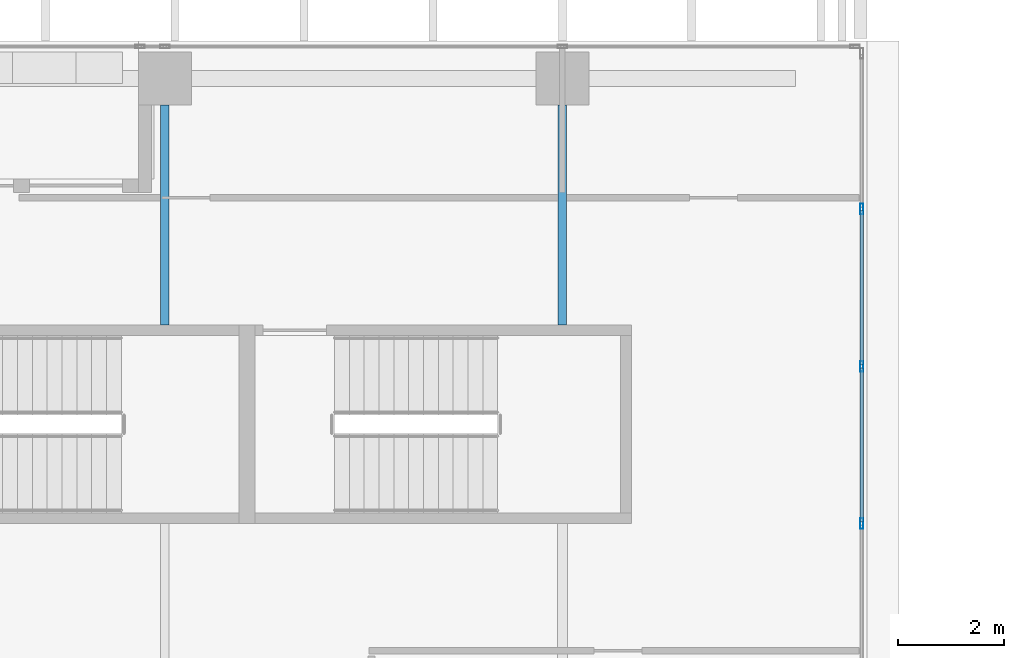
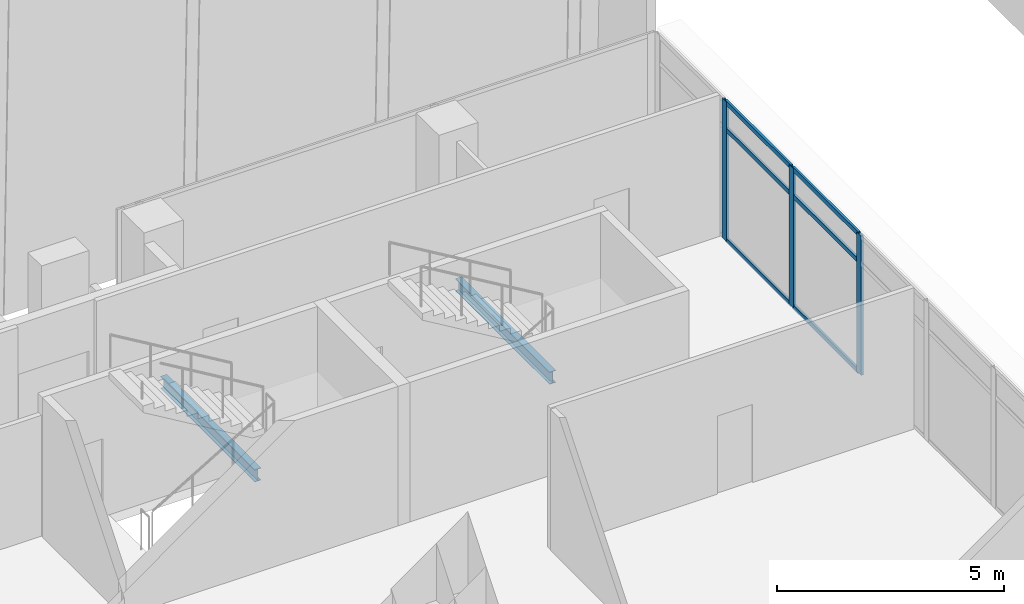
# One storey, part 20 of 40: 9 members, 2 beams, 1 element without a shape of its own.
"""IFC4 building model written with IfcOpenShell, lengths in metres."""

from ifc_helpers import new_model, si_unit, direction, frame, origin, origin_2d, place, context, subcontext, project, spatial, hollow_rectangle, i_section, extrude, source, transform, mapped, material, material_profile, profile_set, type_object, element, aggregate, save


model = new_model("IFC4")

# Units and contexts
model_context = context("Model", 3, precision=1e-05, world=origin(), true_north=direction((0.0, 1.0)))
body_context = subcontext(model_context, "Body", "Model", "MODEL_VIEW")
ifc_project = project(units=[si_unit("LENGTHUNIT", "METRE"), si_unit("AREAUNIT", "SQUARE_METRE"), si_unit("VOLUMEUNIT", "CUBIC_METRE"), si_unit("PLANEANGLEUNIT", "RADIAN"), si_unit("MASSUNIT", "GRAM", prefix="KILO")], contexts=[model_context])

# Site, building, storey
site_placement = place(None, origin())
site = spatial("IfcSite", under=ifc_project, at=site_placement, CompositionType="ELEMENT")
building_placement = place(site_placement, origin())
building = spatial("IfcBuilding", under=site, at=building_placement, Name="Khomas Fold Tower", CompositionType="ELEMENT")
storey_placement = place(building_placement, frame((0.0, 0.0, 176.699951171875)))
storey = spatial("IfcBuildingStorey", under=building, at=storey_placement, Name="L38", CompositionType="ELEMENT", Elevation=176.699951171875)

# Beams
ifc_material_1 = material(Name="Steel S355", Category="steel")
ifc_material_profile_1 = material_profile(ifc_material_1, i_section(OverallWidth=0.159912109375, OverallDepth=0.330078125, WebThickness=0.007568359375, FlangeThickness=0.011474609375, at=origin_2d()), Name="IPE 330")
ifc_profile_set_1 = profile_set([ifc_material_profile_1], Name="Steel S355")
beam_type = type_object("IfcBeamType", Name="IPE 330 beam JB1", PredefinedType="BEAM", material=ifc_profile_set_1)
shared_shape_1 = source(origin(), body_context, "Body", "SweptSolid", [
    extrude(i_section(OverallWidth=0.159912109375, OverallDepth=0.330078125, WebThickness=0.007568359375, FlangeThickness=0.011474609375, at=origin_2d()), origin(), (0.0, 0.0, 1.0), 4.150146484375),
])
for number, where, z_axis, x_axis, name in (
    (1, (19.5, 45.64990234375, -0.4150390625), (0.0, 1.0, 0.0), (-1.0, 0.0, 0.0), "JB1"),
    (2, (27.0, 45.64990234375, -0.4150390625), (0.0, 1.0, 0.0), (-1.0, 0.0, 0.0), "JB1"),
):
    element("IfcBeam", number, at=place(storey_placement, frame(where, z_axis=z_axis, x_axis=x_axis)), inside=storey, type_object=beam_type, Name=name, PredefinedType="BEAM", context=body_context, shape_type="MappedRepresentation", body=[
        mapped(shared_shape_1, transform((0.0, 0.0, 0.0))),
    ])

# Curtain wall, members
ifc_material_2 = material(Name="Aluminium framed double glazing", Category="aluminium")
curtain_wall_type = type_object("IfcCurtainWallType", Name="Notch glazing GN-CW", PredefinedType="NOTDEFINED", material=ifc_material_2)
curtain_wall_placement = place(storey_placement, origin())
curtain_wall = element("IfcCurtainWall", 3, at=curtain_wall_placement, inside=storey, type_object=curtain_wall_type, Name="Notch glazing run", PredefinedType="NOTDEFINED")
ifc_material_3 = material(Name="Aluminium", Category="aluminium")
ifc_material_profile_2 = material_profile(ifc_material_3, hollow_rectangle(XDim=0.06005859375, YDim=0.1201171875, WallThickness=0.00390625, at=origin_2d()), Name="Notch glazing transom GN-CW-T")
ifc_profile_set_2 = profile_set([ifc_material_profile_2], Name="Aluminium")
member_type_1 = type_object("IfcMemberType", Name="Notch glazing transom GN-CW-T", PredefinedType="USERDEFINED", material=ifc_profile_set_2)
shared_shape_2 = source(origin(), body_context, "Body", "SweptSolid", [
    extrude(hollow_rectangle(XDim=0.06005859375, YDim=0.1201171875, WallThickness=0.00390625, at=origin_2d()), origin(), (0.0, 0.0, 1.0), 2.90673828125),
])
member_1_placement = place(storey_placement, frame((32.64990234375, 41.929931640625, 0.030029296875), z_axis=(0.0, 1.0, 0.0), x_axis=(-1.0, 0.0, 0.0)))
member_1 = element("IfcMember", 4, at=member_1_placement, type_object=member_type_1, Name="GN-CW transom 4.1", ObjectType="TRANSOM", PredefinedType="USERDEFINED", context=body_context, shape_type="MappedRepresentation", body=[
    mapped(shared_shape_2, transform((0.0, 0.0, 0.0))),
])
member_2_placement = place(storey_placement, frame((32.64990234375, 41.929931640625, 3.0), z_axis=(0.0, 1.0, 0.0), x_axis=(-1.0, 0.0, 0.0)))
member_2 = element("IfcMember", 5, at=member_2_placement, type_object=member_type_1, Name="GN-CW transom 4.2", ObjectType="TRANSOM", PredefinedType="USERDEFINED", context=body_context, shape_type="MappedRepresentation", body=[
    mapped(shared_shape_2, transform((0.0, 0.0, 0.0))),
])
member_3_placement = place(storey_placement, frame((32.64990234375, 41.929931640625, 3.719970703125), z_axis=(0.0, 1.0, 0.0), x_axis=(-1.0, 0.0, 0.0)))
member_3 = element("IfcMember", 6, at=member_3_placement, type_object=member_type_1, Name="GN-CW transom 4.3", ObjectType="TRANSOM", PredefinedType="USERDEFINED", context=body_context, shape_type="MappedRepresentation", body=[
    mapped(shared_shape_2, transform((0.0, 0.0, 0.0))),
])
shared_shape_3 = source(origin(), body_context, "Body", "SweptSolid", [
    extrude(hollow_rectangle(XDim=0.06005859375, YDim=0.1201171875, WallThickness=0.00390625, at=origin_2d()), origin(), (0.0, 0.0, 1.0), 2.906494140625),
])
member_4_placement = place(storey_placement, frame((32.64990234375, 44.896728515625, 0.030029296875), z_axis=(0.0, 1.0, 0.0), x_axis=(-1.0, 0.0, 0.0)))
member_4 = element("IfcMember", 7, at=member_4_placement, type_object=member_type_1, Name="GN-CW transom 5.1", ObjectType="TRANSOM", PredefinedType="USERDEFINED", context=body_context, shape_type="MappedRepresentation", body=[
    mapped(shared_shape_3, transform((0.0, 0.0, 0.0))),
])
member_5_placement = place(storey_placement, frame((32.64990234375, 44.896728515625, 3.0), z_axis=(0.0, 1.0, 0.0), x_axis=(-1.0, 0.0, 0.0)))
member_5 = element("IfcMember", 8, at=member_5_placement, type_object=member_type_1, Name="GN-CW transom 5.2", ObjectType="TRANSOM", PredefinedType="USERDEFINED", context=body_context, shape_type="MappedRepresentation", body=[
    mapped(shared_shape_3, transform((0.0, 0.0, 0.0))),
])
member_6_placement = place(storey_placement, frame((32.64990234375, 44.896728515625, 3.719970703125), z_axis=(0.0, 1.0, 0.0), x_axis=(-1.0, 0.0, 0.0)))
member_6 = element("IfcMember", 9, at=member_6_placement, type_object=member_type_1, Name="GN-CW transom 5.3", ObjectType="TRANSOM", PredefinedType="USERDEFINED", context=body_context, shape_type="MappedRepresentation", body=[
    mapped(shared_shape_3, transform((0.0, 0.0, 0.0))),
])
ifc_material_4 = material(Name="Aluminium", Category="aluminium")
ifc_material_profile_3 = material_profile(ifc_material_4, hollow_rectangle(XDim=0.06005859375, YDim=0.199951171875, WallThickness=0.00390625, at=origin_2d()), Name="Notch glazing mullion GN-CW-M")
ifc_profile_set_3 = profile_set([ifc_material_profile_3], Name="Aluminium")
member_type_2 = type_object("IfcMemberType", Name="Notch glazing mullion GN-CW-M", PredefinedType="MULLION", material=ifc_profile_set_3)
shared_shape_4 = source(origin(), body_context, "Body", "SweptSolid", [
    extrude(hollow_rectangle(XDim=0.06005859375, YDim=0.199951171875, WallThickness=0.00390625, at=origin_2d()), origin(), (0.0, 0.0, 1.0), 3.75),
])
member_7_placement = place(storey_placement, frame((32.64990234375, 41.89990234375, 0.0), z_axis=(0.0, 0.0, 1.0), x_axis=(-1.0, 0.0, 0.0)))
member_7 = element("IfcMember", 10, at=member_7_placement, type_object=member_type_2, Name="GN-CW mullion 4", PredefinedType="MULLION", context=body_context, shape_type="MappedRepresentation", body=[
    mapped(shared_shape_4, transform((0.0, 0.0, 0.0))),
])
member_8_placement = place(storey_placement, frame((32.64990234375, 44.86669921875, 0.0), z_axis=(0.0, 0.0, 1.0), x_axis=(-1.0, 0.0, 0.0)))
member_8 = element("IfcMember", 11, at=member_8_placement, type_object=member_type_2, Name="GN-CW mullion 5", PredefinedType="MULLION", context=body_context, shape_type="MappedRepresentation", body=[
    mapped(shared_shape_4, transform((0.0, 0.0, 0.0))),
])
member_9_placement = place(storey_placement, frame((32.64990234375, 47.833251953125, 0.0), z_axis=(0.0, 0.0, 1.0), x_axis=(-1.0, 0.0, 0.0)))
member_9 = element("IfcMember", 12, at=member_9_placement, type_object=member_type_2, Name="GN-CW mullion 6", PredefinedType="MULLION", context=body_context, shape_type="MappedRepresentation", body=[
    mapped(shared_shape_4, transform((0.0, 0.0, 0.0))),
])
aggregate(curtain_wall, [member_7, member_8, member_9, member_1, member_2, member_3, member_4, member_5, member_6])

save(model, "model.ifc")
